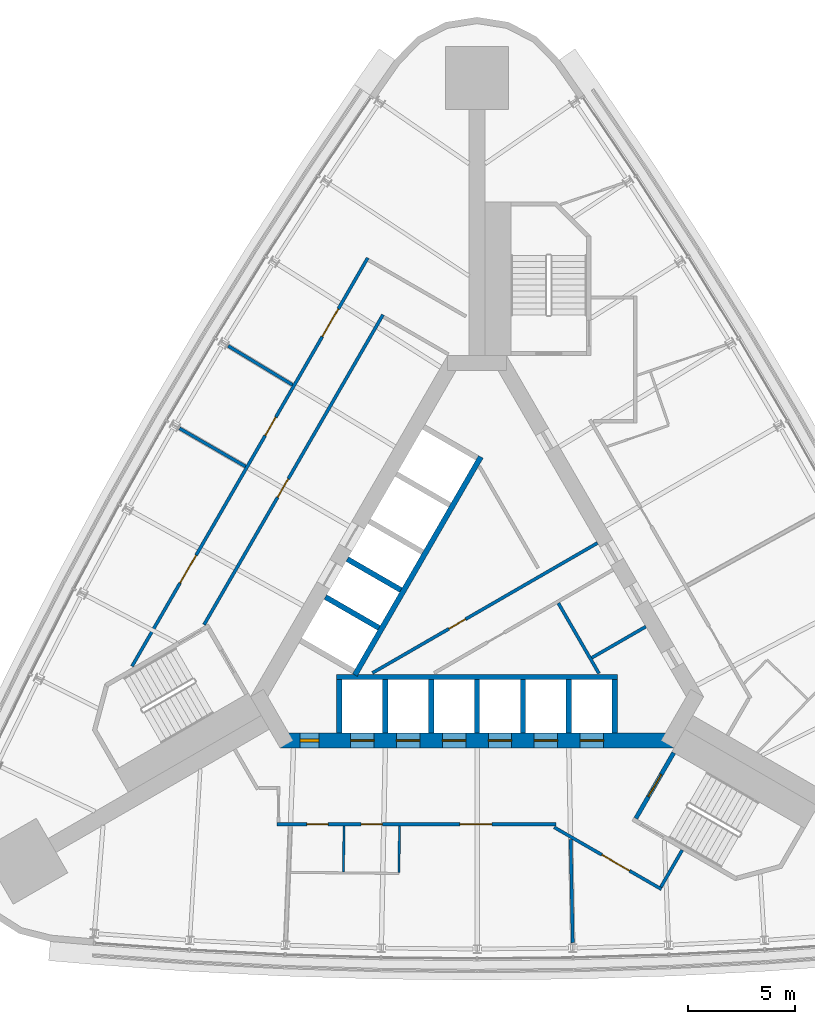
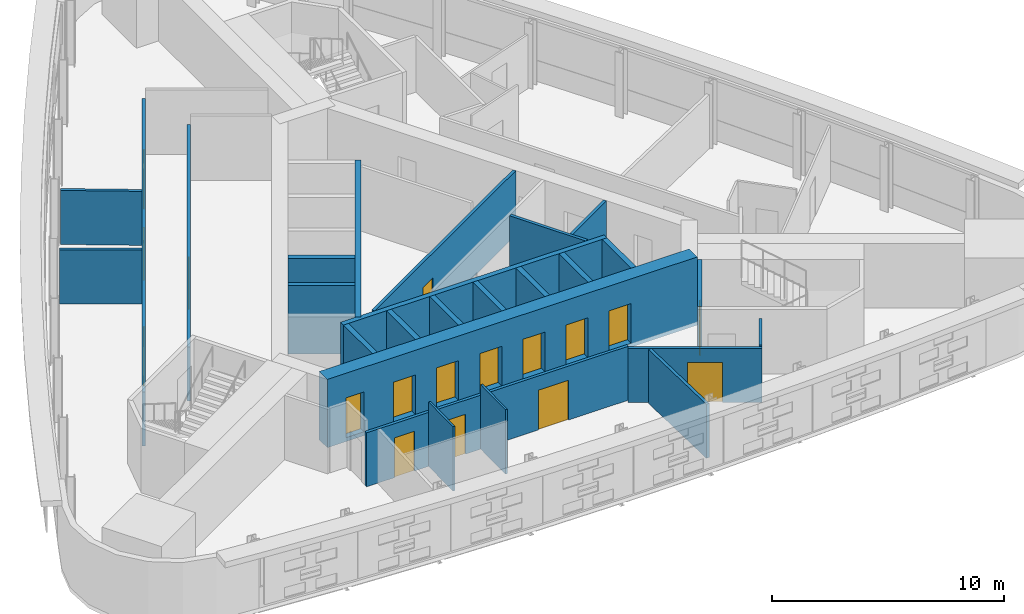
# One storey, part 7 of 11: 26 walls, 17 doors, 17 openings.
"""IFC4 building model written with IfcOpenShell, lengths in metres."""

from ifc_helpers import new_model, si_unit, direction, frame, frame_2d, origin, place, context, subcontext, project, spatial, rectangle, extrude, material, layer, layer_set, type_object, element, fill, save


model = new_model("IFC4")

# Units and contexts
model_context = context("Model", 3, precision=1e-05, world=origin(), true_north=direction((0.0, 1.0)))
body_context = subcontext(model_context, "Body", "Model", "MODEL_VIEW")
ifc_project = project(units=[si_unit("LENGTHUNIT", "METRE"), si_unit("AREAUNIT", "SQUARE_METRE"), si_unit("VOLUMEUNIT", "CUBIC_METRE"), si_unit("PLANEANGLEUNIT", "RADIAN"), si_unit("MASSUNIT", "GRAM", prefix="KILO")], contexts=[model_context])

# Site, building, storey
site_placement = place(None, origin())
site = spatial("IfcSite", under=ifc_project, at=site_placement, CompositionType="ELEMENT")
building_placement = place(site_placement, origin())
building = spatial("IfcBuilding", under=site, at=building_placement, Name="Noor Cloister Tower", CompositionType="ELEMENT")
storey_placement = place(building_placement, frame((0.0, 0.0, 120.300048828125)))
storey = spatial("IfcBuildingStorey", under=building, at=storey_placement, Name="L31", CompositionType="ELEMENT", Elevation=120.300048828125)

# Wall, opening, door
ifc_material_1 = material(Name="Concrete C30/37", Category="concrete")
ifc_layer_1 = layer(ifc_material_1, 0.14990234375)
ifc_layer_set_1 = layer_set([ifc_layer_1], Name="Core partition 150 C30/37")
wall_type_1 = type_object("IfcWallType", Name="Core partition 150 C30/37", PredefinedType="PARTITIONING", material=ifc_layer_set_1)
wall_1_placement = place(storey_placement, frame((-4.904296875, -3.4130859375, 0.0), z_axis=(0.0, 0.0, 1.0), x_axis=(0.866020716117, 0.500008119189, 0.0)))
wall_1 = element("IfcWall", 1, at=wall_1_placement, inside=storey, type_object=wall_type_1, Name="Core room partition L31 1", PredefinedType="PARTITIONING", context=body_context, shape_type="SweptSolid", body=[
    extrude(rectangle(XDim=12.181884765625, YDim=0.14990234375, at=frame_2d((6.0908203125, 0.0))), origin(), (0.0, 0.0, 1.0), 3.39990234375),
])
opening_1_placement = place(wall_1_placement, frame((4.14208984375, 0.0, 0.0)))
opening_1 = element("IfcOpeningElement", 2, at=opening_1_placement, cuts=wall_1, Name="Opening L31-906", PredefinedType="OPENING", context=body_context, shape_type="SweptSolid", body=[
    extrude(rectangle(XDim=0.89990234375, YDim=2.10009765625, at=frame_2d((0.449951171875, 1.050048828125))), frame((0.0, 0.0849609375, 0.0), z_axis=(0.0, -1.0, 0.0), x_axis=(1.0, 0.0, 0.0)), (0.0, 0.0, 1.0), 0.169921875),
])
ifc_material_2 = material(Name="Steel", Category="steel")
door_type_1 = type_object("IfcDoorType", Name="Core door 900 x 2100 FD120", OperationType="SINGLE_SWING_LEFT", PredefinedType="DOOR", material=ifc_material_2)
door_1_placement = place(opening_1_placement, origin())
door_1 = element("IfcDoor", 3, at=door_1_placement, inside=storey, type_object=door_type_1, Name="Core door 6 L31", OperationType="SINGLE_SWING_RIGHT", OverallHeight=2.10009765625, OverallWidth=0.89990234375, PredefinedType="DOOR", context=body_context, shape_type="SweptSolid", body=[
    extrude(rectangle(XDim=0.89990234375, YDim=2.10009765625, at=frame_2d((0.449951171875, 1.050048828125))), frame((0.0, 0.02490234375, 0.0), z_axis=(0.0, -1.0, 0.0), x_axis=(1.0, 0.0, 0.0)), (0.0, 0.0, 1.0), 0.050048828125),
])
fill(opening_1, door_1)

# Walls
wall_2_placement = place(storey_placement, frame((5.713134765625, -3.439208984375, 0.0), z_axis=(0.0, 0.0, 1.0), x_axis=(-0.499981559197, 0.866036050325, 0.0)))
element("IfcWall", 4, at=wall_2_placement, inside=storey, type_object=wall_type_1, Name="Core room partition L31 4", PredefinedType="PARTITIONING", context=body_context, shape_type="SweptSolid", body=[
    extrude(rectangle(XDim=3.806396484375, YDim=0.14990234375, at=frame_2d((1.9033203125, 0.0))), origin(), (0.0, 0.0, 1.0), 3.39990234375),
])
wall_3_placement = place(storey_placement, frame((5.375, -2.703369140625, 0.0), z_axis=(0.0, 0.0, 1.0), x_axis=(0.866046596414, 0.499963291492, 0.0)))
element("IfcWall", 5, at=wall_3_placement, inside=storey, type_object=wall_type_1, Name="Core room partition L31 5", PredefinedType="PARTITIONING", context=body_context, shape_type="SweptSolid", body=[
    extrude(rectangle(XDim=2.925048828125, YDim=0.14990234375, at=frame_2d((1.46240234375, 0.0))), origin(), (0.0, 0.0, 1.0), 3.39990234375),
])

# Wall, openings, doors
ifc_material_3 = material(Name="Concrete C80/95", Category="concrete")
ifc_layer_2 = layer(ifc_material_3, 0.699951171875)
ifc_layer_set_2 = layer_set([ifc_layer_2], Name="Core wall 700 C80/95")
wall_type_2 = type_object("IfcWallType", Name="Core wall 700 C80/95", PredefinedType="SHEAR", material=ifc_layer_set_2)
wall_4_placement = place(storey_placement, frame((-9.228759765625, -6.578125, -0.199951171875), z_axis=(0.0, 0.0, 1.0), x_axis=(1.0, 0.0, 0.0)))
wall_4 = element("IfcWall", 6, at=wall_4_placement, inside=storey, type_object=wall_type_2, Name="Core wall L31 1", PredefinedType="SHEAR", context=body_context, shape_type="SweptSolid", body=[
    extrude(rectangle(XDim=18.45751953125, YDim=0.699951171875, at=frame_2d((9.228759765625, 0.0))), origin(), (0.0, 0.0, 1.0), 3.599853515625),
])
opening_2_placement = place(wall_4_placement, frame((3.3037109375, 0.0, 0.199951171875)))
opening_2 = element("IfcOpeningElement", 7, at=opening_2_placement, cuts=wall_4, Name="Opening L31-LR1", PredefinedType="OPENING", context=body_context, shape_type="SweptSolid", body=[
    extrude(rectangle(XDim=1.10009765625, YDim=2.10009765625, at=frame_2d((0.550048828125, 1.050048828125))), frame((0.0, 0.35986328125, 0.0), z_axis=(0.0, -1.0, 0.0), x_axis=(1.0, 0.0, 0.0)), (0.0, 0.0, 1.0), 0.719970703125),
])
opening_3_placement = place(wall_4_placement, frame((5.45361328125, 0.0, 0.199951171875)))
opening_3 = element("IfcOpeningElement", 8, at=opening_3_placement, cuts=wall_4, Name="Opening L31-LR2", PredefinedType="OPENING", context=body_context, shape_type="SweptSolid", body=[
    extrude(rectangle(XDim=1.10009765625, YDim=2.10009765625, at=frame_2d((0.550048828125, 1.050048828125))), frame((0.0, 0.35986328125, 0.0), z_axis=(0.0, -1.0, 0.0), x_axis=(1.0, 0.0, 0.0)), (0.0, 0.0, 1.0), 0.719970703125),
])
opening_4_placement = place(wall_4_placement, frame((7.603759765625, 0.0, 0.199951171875)))
opening_4 = element("IfcOpeningElement", 9, at=opening_4_placement, cuts=wall_4, Name="Opening L31-LR3", PredefinedType="OPENING", context=body_context, shape_type="SweptSolid", body=[
    extrude(rectangle(XDim=1.10009765625, YDim=2.10009765625, at=frame_2d((0.550048828125, 1.050048828125))), frame((0.0, 0.35986328125, 0.0), z_axis=(0.0, -1.0, 0.0), x_axis=(1.0, 0.0, 0.0)), (0.0, 0.0, 1.0), 0.719970703125),
])
opening_5_placement = place(wall_4_placement, frame((9.753662109375, 0.0, 0.199951171875)))
opening_5 = element("IfcOpeningElement", 10, at=opening_5_placement, cuts=wall_4, Name="Opening L31-LR4", PredefinedType="OPENING", context=body_context, shape_type="SweptSolid", body=[
    extrude(rectangle(XDim=1.10009765625, YDim=2.10009765625, at=frame_2d((0.550048828125, 1.050048828125))), frame((0.0, 0.35986328125, 0.0), z_axis=(0.0, -1.0, 0.0), x_axis=(1.0, 0.0, 0.0)), (0.0, 0.0, 1.0), 0.719970703125),
])
opening_6_placement = place(wall_4_placement, frame((11.90380859375, 0.0, 0.199951171875)))
opening_6 = element("IfcOpeningElement", 11, at=opening_6_placement, cuts=wall_4, Name="Opening L31-LR5", PredefinedType="OPENING", context=body_context, shape_type="SweptSolid", body=[
    extrude(rectangle(XDim=1.10009765625, YDim=2.10009765625, at=frame_2d((0.550048828125, 1.050048828125))), frame((0.0, 0.35986328125, 0.0), z_axis=(0.0, -1.0, 0.0), x_axis=(1.0, 0.0, 0.0)), (0.0, 0.0, 1.0), 0.719970703125),
])
opening_7_placement = place(wall_4_placement, frame((14.0537109375, 0.0, 0.199951171875)))
opening_7 = element("IfcOpeningElement", 12, at=opening_7_placement, cuts=wall_4, Name="Opening L31-LR6", PredefinedType="OPENING", context=body_context, shape_type="SweptSolid", body=[
    extrude(rectangle(XDim=1.10009765625, YDim=2.10009765625, at=frame_2d((0.550048828125, 1.050048828125))), frame((0.0, 0.35986328125, 0.0), z_axis=(0.0, -1.0, 0.0), x_axis=(1.0, 0.0, 0.0)), (0.0, 0.0, 1.0), 0.719970703125),
])
opening_8_placement = place(wall_4_placement, frame((0.92626953125, 0.0, 0.199951171875)))
opening_8 = element("IfcOpeningElement", 13, at=opening_8_placement, cuts=wall_4, Name="Opening L31-907", PredefinedType="OPENING", context=body_context, shape_type="SweptSolid", body=[
    extrude(rectangle(XDim=0.89990234375, YDim=2.10009765625, at=frame_2d((0.449951171875, 1.050048828125))), frame((0.0, 0.35986328125, 0.0), z_axis=(0.0, -1.0, 0.0), x_axis=(1.0, 0.0, 0.0)), (0.0, 0.0, 1.0), 0.719970703125),
])
ifc_material_4 = material(Name="Steel", Category="steel")
door_type_2 = type_object("IfcDoorType", Name="Core door 900 x 2100 FD60", OperationType="SINGLE_SWING_LEFT", PredefinedType="DOOR", material=ifc_material_4)
door_2_placement = place(opening_8_placement, origin())
door_2 = element("IfcDoor", 14, at=door_2_placement, inside=storey, type_object=door_type_2, Name="Core door 7 L31", OperationType="SINGLE_SWING_LEFT", OverallHeight=2.10009765625, OverallWidth=0.89990234375, PredefinedType="DOOR", context=body_context, shape_type="SweptSolid", body=[
    extrude(rectangle(XDim=0.89990234375, YDim=2.10009765625, at=frame_2d((0.449951171875, 1.050048828125))), frame((0.0, 0.074951171875, 0.0), z_axis=(0.0, -1.0, 0.0), x_axis=(1.0, 0.0, 0.0)), (0.0, 0.0, 1.0), 0.14990234375),
])
fill(opening_8, door_2)
ifc_material_5 = material(Name="Stainless steel", Category="steel")
door_type_3 = type_object("IfcDoorType", Name="Lift landing door 1100 x 2100", OperationType="DOUBLE_DOOR_SLIDING", PredefinedType="DOOR", material=ifc_material_5)
door_3_placement = place(opening_2_placement, origin())
door_3 = element("IfcDoor", 15, at=door_3_placement, inside=storey, type_object=door_type_3, Name="Landing door LR1 L31", OperationType="DOUBLE_DOOR_SLIDING", OverallHeight=2.10009765625, OverallWidth=1.10009765625, PredefinedType="DOOR", context=body_context, shape_type="SweptSolid", body=[
    extrude(rectangle(XDim=1.10009765625, YDim=2.10009765625, at=frame_2d((0.550048828125, 1.050048828125))), frame((0.0, 0.02490234375, 0.0), z_axis=(0.0, -1.0, 0.0), x_axis=(1.0, 0.0, 0.0)), (0.0, 0.0, 1.0), 0.050048828125),
])
fill(opening_2, door_3)
door_4_placement = place(opening_3_placement, origin())
door_4 = element("IfcDoor", 16, at=door_4_placement, inside=storey, type_object=door_type_3, Name="Landing door LR2 L31", OperationType="DOUBLE_DOOR_SLIDING", OverallHeight=2.10009765625, OverallWidth=1.10009765625, PredefinedType="DOOR", context=body_context, shape_type="SweptSolid", body=[
    extrude(rectangle(XDim=1.10009765625, YDim=2.10009765625, at=frame_2d((0.550048828125, 1.050048828125))), frame((0.0, 0.02490234375, 0.0), z_axis=(0.0, -1.0, 0.0), x_axis=(1.0, 0.0, 0.0)), (0.0, 0.0, 1.0), 0.050048828125),
])
fill(opening_3, door_4)
door_5_placement = place(opening_4_placement, origin())
door_5 = element("IfcDoor", 17, at=door_5_placement, inside=storey, type_object=door_type_3, Name="Landing door LR3 L31", OperationType="DOUBLE_DOOR_SLIDING", OverallHeight=2.10009765625, OverallWidth=1.10009765625, PredefinedType="DOOR", context=body_context, shape_type="SweptSolid", body=[
    extrude(rectangle(XDim=1.10009765625, YDim=2.10009765625, at=frame_2d((0.550048828125, 1.050048828125))), frame((0.0, 0.02490234375, 0.0), z_axis=(0.0, -1.0, 0.0), x_axis=(1.0, 0.0, 0.0)), (0.0, 0.0, 1.0), 0.050048828125),
])
fill(opening_4, door_5)
door_6_placement = place(opening_5_placement, origin())
door_6 = element("IfcDoor", 18, at=door_6_placement, inside=storey, type_object=door_type_3, Name="Landing door LR4 L31", OperationType="DOUBLE_DOOR_SLIDING", OverallHeight=2.10009765625, OverallWidth=1.10009765625, PredefinedType="DOOR", context=body_context, shape_type="SweptSolid", body=[
    extrude(rectangle(XDim=1.10009765625, YDim=2.10009765625, at=frame_2d((0.550048828125, 1.050048828125))), frame((0.0, 0.02490234375, 0.0), z_axis=(0.0, -1.0, 0.0), x_axis=(1.0, 0.0, 0.0)), (0.0, 0.0, 1.0), 0.050048828125),
])
fill(opening_5, door_6)
door_7_placement = place(opening_6_placement, origin())
door_7 = element("IfcDoor", 19, at=door_7_placement, inside=storey, type_object=door_type_3, Name="Landing door LR5 L31", OperationType="DOUBLE_DOOR_SLIDING", OverallHeight=2.10009765625, OverallWidth=1.10009765625, PredefinedType="DOOR", context=body_context, shape_type="SweptSolid", body=[
    extrude(rectangle(XDim=1.10009765625, YDim=2.10009765625, at=frame_2d((0.550048828125, 1.050048828125))), frame((0.0, 0.02490234375, 0.0), z_axis=(0.0, -1.0, 0.0), x_axis=(1.0, 0.0, 0.0)), (0.0, 0.0, 1.0), 0.050048828125),
])
fill(opening_6, door_7)
door_8_placement = place(opening_7_placement, origin())
door_8 = element("IfcDoor", 20, at=door_8_placement, inside=storey, type_object=door_type_3, Name="Landing door LR6 L31", OperationType="DOUBLE_DOOR_SLIDING", OverallHeight=2.10009765625, OverallWidth=1.10009765625, PredefinedType="DOOR", context=body_context, shape_type="SweptSolid", body=[
    extrude(rectangle(XDim=1.10009765625, YDim=2.10009765625, at=frame_2d((0.550048828125, 1.050048828125))), frame((0.0, 0.02490234375, 0.0), z_axis=(0.0, -1.0, 0.0), x_axis=(1.0, 0.0, 0.0)), (0.0, 0.0, 1.0), 0.050048828125),
])
fill(opening_7, door_8)

# Wall, opening, door
ifc_material_6 = material(Name="Fire-rated gypsum board partition on steel studs, 150 mm", Category="steel")
ifc_layer_3 = layer(ifc_material_6, 0.14990234375)
ifc_layer_set_3 = layer_set([ifc_layer_3], Name="Fire lobby wall 150")
wall_type_3 = type_object("IfcWallType", Name="Fire lobby wall 150", PredefinedType="PARTITIONING", material=ifc_layer_set_3)
wall_5_placement = place(storey_placement, frame((-4.40673828125, 13.373779296875, 0.0), z_axis=(0.0, 0.0, 1.0), x_axis=(-0.499997181693, -0.866027030928, 0.0)))
wall_5 = element("IfcWall", 21, at=wall_5_placement, inside=storey, type_object=wall_type_3, Name="Fire lobby wall 150 L31 002", PredefinedType="PARTITIONING", context=body_context, shape_type="SweptSolid", body=[
    extrude(rectangle(XDim=16.76953125, YDim=0.14990234375, at=frame_2d((8.384765625, 0.0))), origin(), (0.0, 0.0, 1.0), 2.846923828125),
])
opening_9_placement = place(wall_5_placement, frame((8.878662109375, 0.0, 0.0)))
opening_9 = element("IfcOpeningElement", 22, at=opening_9_placement, cuts=wall_5, Name="Opening L31-004", PredefinedType="OPENING", context=body_context, shape_type="SweptSolid", body=[
    extrude(rectangle(XDim=1.0, YDim=2.10009765625, at=frame_2d((0.5, 1.050048828125))), frame((0.0, 0.0849609375, 0.0), z_axis=(0.0, -1.0, 0.0), x_axis=(1.0, 0.0, 0.0)), (0.0, 0.0, 1.0), 0.169921875),
])
ifc_material_7 = material(Name="Timber door leaf with steel frame", Category="steel")
door_type_4 = type_object("IfcDoorType", Name="Fire lobby door 1000", OperationType="NOTDEFINED", PredefinedType="DOOR", material=ifc_material_7)
door_9_placement = place(opening_9_placement, origin())
door_9 = element("IfcDoor", 23, at=door_9_placement, inside=storey, type_object=door_type_4, Name="Fire lobby door 1000 L31-004", OperationType="SINGLE_SWING_RIGHT", OverallHeight=2.10009765625, OverallWidth=1.0, PredefinedType="DOOR", context=body_context, shape_type="SweptSolid", body=[
    extrude(rectangle(XDim=1.0, YDim=2.10009765625, at=frame_2d((0.5, 1.050048828125))), frame((0.0, 0.02490234375, 0.0), z_axis=(0.0, -1.0, 0.0), x_axis=(1.0, 0.0, 0.0)), (0.0, 0.0, 1.0), 0.050048828125),
])
fill(opening_9, door_9)

# Wall, openings, doors
ifc_material_8 = material(Name="Gypsum board partition on steel studs, 150 mm", Category="steel")
ifc_layer_4 = layer(ifc_material_8, 0.14990234375)
ifc_layer_set_4 = layer_set([ifc_layer_4], Name="Flat wall 150")
wall_type_4 = type_object("IfcWallType", Name="Flat wall 150", PredefinedType="PARTITIONING", material=ifc_layer_set_4)
wall_6_placement = place(storey_placement, frame((-16.1689453125, -3.09912109375, 0.0), z_axis=(0.0, 0.0, 1.0), x_axis=(0.499999805269, 0.866025516212, 0.0)))
wall_6 = element("IfcWall", 24, at=wall_6_placement, inside=storey, type_object=wall_type_4, Name="Flat wall 150 L31 001", PredefinedType="PARTITIONING", context=body_context, shape_type="SweptSolid", body=[
    extrude(rectangle(XDim=22.09716796875, YDim=0.14990234375, at=frame_2d((11.048583984375, 0.0))), origin(), (0.0, 0.0, 1.0), 2.846923828125),
])
opening_10_placement = place(wall_6_placement, frame((17.841796875, 0.0, 0.0)))
opening_10 = element("IfcOpeningElement", 25, at=opening_10_placement, cuts=wall_6, Name="Opening L31-001", PredefinedType="OPENING", context=body_context, shape_type="SweptSolid", body=[
    extrude(rectangle(XDim=1.5, YDim=2.10009765625, at=frame_2d((0.75, 1.050048828125))), frame((0.0, 0.0849609375, 0.0), z_axis=(0.0, -1.0, 0.0), x_axis=(1.0, 0.0, 0.0)), (0.0, 0.0, 1.0), 0.169921875),
])
opening_11_placement = place(wall_6_placement, frame((12.474365234375, 0.0, 0.0)))
opening_11 = element("IfcOpeningElement", 26, at=opening_11_placement, cuts=wall_6, Name="Opening L31-002", PredefinedType="OPENING", context=body_context, shape_type="SweptSolid", body=[
    extrude(rectangle(XDim=1.0, YDim=2.10009765625, at=frame_2d((0.5, 1.050048828125))), frame((0.0, 0.0849609375, 0.0), z_axis=(0.0, -1.0, 0.0), x_axis=(1.0, 0.0, 0.0)), (0.0, 0.0, 1.0), 0.169921875),
])
opening_12_placement = place(wall_6_placement, frame((4.50341796875, 0.0, 0.0)))
opening_12 = element("IfcOpeningElement", 27, at=opening_12_placement, cuts=wall_6, Name="Opening L31-003", PredefinedType="OPENING", context=body_context, shape_type="SweptSolid", body=[
    extrude(rectangle(XDim=1.5, YDim=2.10009765625, at=frame_2d((0.75, 1.050048828125))), frame((0.0, 0.0849609375, 0.0), z_axis=(0.0, -1.0, 0.0), x_axis=(1.0, 0.0, 0.0)), (0.0, 0.0, 1.0), 0.169921875),
])
ifc_material_9 = material(Name="Timber door leaf with steel frame", Category="steel")
door_type_5 = type_object("IfcDoorType", Name="Double door 1500 FD60", OperationType="NOTDEFINED", PredefinedType="DOOR", material=ifc_material_9)
door_10_placement = place(opening_10_placement, origin())
door_10 = element("IfcDoor", 28, at=door_10_placement, inside=storey, type_object=door_type_5, Name="Double door 1500 L31-001", OperationType="DOUBLE_DOOR_SINGLE_SWING", OverallHeight=2.10009765625, OverallWidth=1.5, PredefinedType="DOOR", context=body_context, shape_type="SweptSolid", body=[
    extrude(rectangle(XDim=1.5, YDim=2.10009765625, at=frame_2d((0.75, 1.050048828125))), frame((0.0, 0.02490234375, 0.0), z_axis=(0.0, -1.0, 0.0), x_axis=(1.0, 0.0, 0.0)), (0.0, 0.0, 1.0), 0.050048828125),
])
fill(opening_10, door_10)
door_11_placement = place(opening_12_placement, origin())
door_11 = element("IfcDoor", 29, at=door_11_placement, inside=storey, type_object=door_type_5, Name="Double door 1500 L31-003", OperationType="DOUBLE_DOOR_SINGLE_SWING", OverallHeight=2.10009765625, OverallWidth=1.5, PredefinedType="DOOR", context=body_context, shape_type="SweptSolid", body=[
    extrude(rectangle(XDim=1.5, YDim=2.10009765625, at=frame_2d((0.75, 1.050048828125))), frame((0.0, 0.02490234375, 0.0), z_axis=(0.0, -1.0, 0.0), x_axis=(1.0, 0.0, 0.0)), (0.0, 0.0, 1.0), 0.050048828125),
])
fill(opening_12, door_11)
ifc_material_10 = material(Name="Timber door leaf with steel frame", Category="steel")
door_type_6 = type_object("IfcDoorType", Name="Interior door 1000 FD60", OperationType="NOTDEFINED", PredefinedType="DOOR", material=ifc_material_10)
door_12_placement = place(opening_11_placement, origin())
door_12 = element("IfcDoor", 30, at=door_12_placement, inside=storey, type_object=door_type_6, Name="Interior door 1000 L31-002", OperationType="SINGLE_SWING_RIGHT", OverallHeight=2.10009765625, OverallWidth=1.0, PredefinedType="DOOR", context=body_context, shape_type="SweptSolid", body=[
    extrude(rectangle(XDim=1.0, YDim=2.10009765625, at=frame_2d((0.5, 1.050048828125))), frame((0.0, 0.02490234375, 0.0), z_axis=(0.0, -1.0, 0.0), x_axis=(1.0, 0.0, 0.0)), (0.0, 0.0, 1.0), 0.050048828125),
])
fill(opening_11, door_12)

wall_7_placement = place(storey_placement, frame((3.68896484375, -10.503173828125, 0.0), z_axis=(0.0, 0.0, 1.0), x_axis=(-1.0, 0.0, 0.0)))
wall_7 = element("IfcWall", 31, at=wall_7_placement, inside=storey, type_object=wall_type_4, Name="Flat wall 150 L31 004", PredefinedType="PARTITIONING", context=body_context, shape_type="SweptSolid", body=[
    extrude(rectangle(XDim=13.067626953125, YDim=0.14990234375, at=frame_2d((6.53369140625, 0.0))), origin(), (0.0, 0.0, 1.0), 2.846923828125),
])
opening_13_placement = place(wall_7_placement, frame((10.66845703125, 0.0, 0.0)))
opening_13 = element("IfcOpeningElement", 32, at=opening_13_placement, cuts=wall_7, Name="Opening L31-007", PredefinedType="OPENING", context=body_context, shape_type="SweptSolid", body=[
    extrude(rectangle(XDim=1.0, YDim=2.10009765625, at=frame_2d((0.5, 1.050048828125))), frame((0.0, 0.0849609375, 0.0), z_axis=(0.0, -1.0, 0.0), x_axis=(1.0, 0.0, 0.0)), (0.0, 0.0, 1.0), 0.169921875),
])
opening_14_placement = place(wall_7_placement, frame((8.12451171875, 0.0, 0.0)))
opening_14 = element("IfcOpeningElement", 33, at=opening_14_placement, cuts=wall_7, Name="Opening L31-008", PredefinedType="OPENING", context=body_context, shape_type="SweptSolid", body=[
    extrude(rectangle(XDim=1.0, YDim=2.10009765625, at=frame_2d((0.5, 1.050048828125))), frame((0.0, 0.0849609375, 0.0), z_axis=(0.0, -1.0, 0.0), x_axis=(1.0, 0.0, 0.0)), (0.0, 0.0, 1.0), 0.169921875),
])
opening_15_placement = place(wall_7_placement, frame((2.98974609375, 0.0, 0.0)))
opening_15 = element("IfcOpeningElement", 34, at=opening_15_placement, cuts=wall_7, Name="Opening L31-009", PredefinedType="OPENING", context=body_context, shape_type="SweptSolid", body=[
    extrude(rectangle(XDim=1.5, YDim=2.10009765625, at=frame_2d((0.75, 1.050048828125))), frame((0.0, 0.0849609375, 0.0), z_axis=(0.0, -1.0, 0.0), x_axis=(1.0, 0.0, 0.0)), (0.0, 0.0, 1.0), 0.169921875),
])
ifc_material_11 = material(Name="Timber door leaf with steel frame", Category="steel")
door_type_7 = type_object("IfcDoorType", Name="Accessible WC door 1000", OperationType="NOTDEFINED", PredefinedType="DOOR", material=ifc_material_11)
door_13_placement = place(opening_13_placement, origin())
door_13 = element("IfcDoor", 35, at=door_13_placement, inside=storey, type_object=door_type_7, Name="Accessible WC door 1000 L31-007", OperationType="SINGLE_SWING_RIGHT", OverallHeight=2.10009765625, OverallWidth=1.0, PredefinedType="DOOR", context=body_context, shape_type="SweptSolid", body=[
    extrude(rectangle(XDim=1.0, YDim=2.10009765625, at=frame_2d((0.5, 1.050048828125))), frame((0.0, 0.02490234375, 0.0), z_axis=(0.0, -1.0, 0.0), x_axis=(1.0, 0.0, 0.0)), (0.0, 0.0, 1.0), 0.050048828125),
])
fill(opening_13, door_13)
door_14_placement = place(opening_15_placement, origin())
door_14 = element("IfcDoor", 36, at=door_14_placement, inside=storey, type_object=door_type_5, Name="Double door 1500 L31-009", OperationType="DOUBLE_DOOR_SINGLE_SWING", OverallHeight=2.10009765625, OverallWidth=1.5, PredefinedType="DOOR", context=body_context, shape_type="SweptSolid", body=[
    extrude(rectangle(XDim=1.5, YDim=2.10009765625, at=frame_2d((0.75, 1.050048828125))), frame((0.0, 0.02490234375, 0.0), z_axis=(0.0, -1.0, 0.0), x_axis=(1.0, 0.0, 0.0)), (0.0, 0.0, 1.0), 0.050048828125),
])
fill(opening_15, door_14)
door_15_placement = place(opening_14_placement, origin())
door_15 = element("IfcDoor", 37, at=door_15_placement, inside=storey, type_object=door_type_6, Name="Interior door 1000 L31-008", OperationType="SINGLE_SWING_RIGHT", OverallHeight=2.10009765625, OverallWidth=1.0, PredefinedType="DOOR", context=body_context, shape_type="SweptSolid", body=[
    extrude(rectangle(XDim=1.0, YDim=2.10009765625, at=frame_2d((0.5, 1.050048828125))), frame((0.0, 0.02490234375, 0.0), z_axis=(0.0, -1.0, 0.0), x_axis=(1.0, 0.0, 0.0)), (0.0, 0.0, 1.0), 0.050048828125),
])
fill(opening_14, door_15)

# Wall, opening, door
wall_8_placement = place(storey_placement, frame((8.64111328125, -13.5458984375, 0.0), z_axis=(0.0, 0.0, 1.0), x_axis=(-0.866042728627, 0.499969991291, 0.0)))
wall_8 = element("IfcWall", 38, at=wall_8_placement, inside=storey, type_object=wall_type_4, Name="Flat wall 150 L31 005", PredefinedType="PARTITIONING", context=body_context, shape_type="SweptSolid", body=[
    extrude(rectangle(XDim=5.805419921875, YDim=0.14990234375, at=frame_2d((2.90283203125, 0.0))), origin(), (0.0, 0.0, 1.0), 2.846923828125),
])
opening_16_placement = place(wall_8_placement, frame((1.726318359375, 0.0, 0.0)))
opening_16 = element("IfcOpeningElement", 39, at=opening_16_placement, cuts=wall_8, Name="Opening L31-010", PredefinedType="OPENING", context=body_context, shape_type="SweptSolid", body=[
    extrude(rectangle(XDim=1.5, YDim=2.10009765625, at=frame_2d((0.75, 1.050048828125))), frame((0.0, 0.0849609375, 0.0), z_axis=(0.0, -1.0, 0.0), x_axis=(1.0, 0.0, 0.0)), (0.0, 0.0, 1.0), 0.169921875),
])
door_16_placement = place(opening_16_placement, origin())
door_16 = element("IfcDoor", 40, at=door_16_placement, inside=storey, type_object=door_type_5, Name="Double door 1500 L31-010", OperationType="DOUBLE_DOOR_SINGLE_SWING", OverallHeight=2.10009765625, OverallWidth=1.5, PredefinedType="DOOR", context=body_context, shape_type="SweptSolid", body=[
    extrude(rectangle(XDim=1.5, YDim=2.10009765625, at=frame_2d((0.75, 1.050048828125))), frame((0.0, 0.02490234375, 0.0), z_axis=(0.0, -1.0, 0.0), x_axis=(1.0, 0.0, 0.0)), (0.0, 0.0, 1.0), 0.050048828125),
])
fill(opening_16, door_16)

# Walls
wall_9_placement = place(storey_placement, frame((8.613525390625, -13.443603515625, 0.0), z_axis=(0.0, 0.0, 1.0), x_axis=(0.499972520799, 0.866041268327, 0.0)))
element("IfcWall", 41, at=wall_9_placement, inside=storey, type_object=wall_type_4, Name="Flat wall 150 L31 012", PredefinedType="PARTITIONING", context=body_context, shape_type="SweptSolid", body=[
    extrude(rectangle(XDim=2.0, YDim=0.14990234375, at=frame_2d((1.0, 0.0))), origin(), (0.0, 0.0, 1.0), 2.9228515625),
])
wall_10_placement = place(storey_placement, frame((4.4833984375, -16.0537109375, 0.0), z_axis=(0.0, 0.0, 1.0), x_axis=(-0.020251440235, 0.999794918555, 0.0)))
element("IfcWall", 42, at=wall_10_placement, inside=storey, type_object=wall_type_4, Name="Flat wall 150 L31 018", PredefinedType="PARTITIONING", context=body_context, shape_type="SweptSolid", body=[
    extrude(rectangle(XDim=4.834228515625, YDim=0.14990234375, at=frame_2d((2.4169921875, 0.0))), origin(), (0.0, 0.0, 1.0), 2.846923828125),
])
wall_11_placement = place(storey_placement, frame((-13.942138671875, 8.049560546875, 0.0), z_axis=(0.0, 0.0, 1.0), x_axis=(0.866034162518, -0.499984829122, 0.0)))
element("IfcWall", 43, at=wall_11_placement, inside=storey, type_object=wall_type_4, Name="Flat wall 150 L31 019", PredefinedType="PARTITIONING", context=body_context, shape_type="SweptSolid", body=[
    extrude(rectangle(XDim=3.57080078125, YDim=0.14990234375, at=frame_2d((1.785400390625, 0.0))), origin(), (0.0, 0.0, 1.0), 2.846923828125),
])
wall_12_placement = place(storey_placement, frame((-11.6611328125, 11.90966796875, 0.0), z_axis=(0.0, 0.0, 1.0), x_axis=(0.855697033778, -0.517477136098, 0.0)))
element("IfcWall", 44, at=wall_12_placement, inside=storey, type_object=wall_type_4, Name="Flat wall 150 L31 020", PredefinedType="PARTITIONING", context=body_context, shape_type="SweptSolid", body=[
    extrude(rectangle(XDim=3.524658203125, YDim=0.14990234375, at=frame_2d((1.76220703125, 0.0))), origin(), (0.0, 0.0, 1.0), 2.846923828125),
])
ifc_material_12 = material(Name="Gypsum board partition on steel studs, 100 mm", Category="steel")
ifc_layer_5 = layer(ifc_material_12, 0.10009765625)
ifc_layer_set_5 = layer_set([ifc_layer_5], Name="Partition 100")
wall_type_5 = type_object("IfcWallType", Name="Partition 100", PredefinedType="PARTITIONING", material=ifc_layer_set_5)
wall_13_placement = place(storey_placement, frame((-3.65771484375, -12.755859375, 0.0), z_axis=(0.0, 0.0, 1.0), x_axis=(0.010203550433, 0.999947942424, 0.0)))
element("IfcWall", 45, at=wall_13_placement, inside=storey, type_object=wall_type_5, Name="Partition 100 L31 028", PredefinedType="PARTITIONING", context=body_context, shape_type="SweptSolid", body=[
    extrude(rectangle(XDim=2.17724609375, YDim=0.10009765625, at=frame_2d((1.088623046875, 0.0))), origin(), (0.0, 0.0, 1.0), 3.39990234375),
])
wall_14_placement = place(storey_placement, frame((-6.257568359375, -12.7294921875, 0.0), z_axis=(0.0, 0.0, 1.0), x_axis=(0.010101641199, 0.999948977121, 0.0)))
element("IfcWall", 46, at=wall_14_placement, inside=storey, type_object=wall_type_5, Name="Partition 100 L31 029", PredefinedType="PARTITIONING", context=body_context, shape_type="SweptSolid", body=[
    extrude(rectangle(XDim=2.15087890625, YDim=0.10009765625, at=frame_2d((1.075439453125, 0.0))), origin(), (0.0, 0.0, 1.0), 3.39990234375),
])
ifc_material_13 = material(Name="Concrete C80/95", Category="concrete")
ifc_layer_6 = layer(ifc_material_13, 0.25)
ifc_layer_set_6 = layer_set([ifc_layer_6], Name="Shaft wall 250 C80/95")
wall_type_6 = type_object("IfcWallType", Name="Shaft wall 250 C80/95", PredefinedType="PARTITIONING", material=ifc_layer_set_6)
for number, where, z_axis, x_axis, name in (
    (47, (-6.449951171875, -6.228271484375, -0.199951171875), (0.0, 0.0, 1.0), (0.0, 1.0, 0.0), "Lift shaft wall L31 S 1"),
    (48, (-4.300048828125, -6.228271484375, -0.199951171875), (0.0, 0.0, 1.0), (0.0, 1.0, 0.0), "Lift shaft wall L31 S 2"),
    (49, (-2.14990234375, -6.228271484375, -0.199951171875), (0.0, 0.0, 1.0), (0.0, 1.0, 0.0), "Lift shaft wall L31 S 3"),
    (50, (0.0, -6.228271484375, -0.199951171875), (0.0, 0.0, 1.0), (0.0, 1.0, 0.0), "Lift shaft wall L31 S 4"),
    (51, (2.14990234375, -6.228271484375, -0.199951171875), (0.0, 0.0, 1.0), (0.0, 1.0, 0.0), "Lift shaft wall L31 S 5"),
    (52, (4.300048828125, -6.228271484375, -0.199951171875), (0.0, 0.0, 1.0), (0.0, 1.0, 0.0), "Lift shaft wall L31 S 6"),
    (53, (6.449951171875, -6.228271484375, -0.199951171875), (0.0, 0.0, 1.0), (0.0, 1.0, 0.0), "Lift shaft wall L31 S 7"),
):
    element("IfcWall", number, at=place(storey_placement, frame(where, z_axis=z_axis, x_axis=x_axis)), inside=storey, type_object=wall_type_6, Name=name, PredefinedType="PARTITIONING", context=body_context, shape_type="SweptSolid", body=[
        extrude(rectangle(XDim=2.5, YDim=0.25, at=frame_2d((1.25, 0.0))), origin(), (0.0, 0.0, 1.0), 3.599853515625),
    ])
wall_15_placement = place(storey_placement, frame((-6.574951171875, -3.603271484375, 0.0), z_axis=(0.0, 0.0, 1.0), x_axis=(1.0, 0.0, 0.0)))
element("IfcWall", 54, at=wall_15_placement, inside=storey, type_object=wall_type_6, Name="Lift shaft back wall L31 S", PredefinedType="PARTITIONING", context=body_context, shape_type="SweptSolid", body=[
    extrude(rectangle(XDim=13.14990234375, YDim=0.25, at=frame_2d((6.574951171875, 0.0))), origin(), (0.0, 0.0, 1.0), 3.39990234375),
])
for number, where, z_axis, x_axis, name in (
    (55, (-6.081298828125, 1.92333984375, -0.199951171875), (0.0, 0.0, 1.0), (0.866032775405, -0.499987231761, 0.0), "Lift shaft wall L31 NW 4"),
    (56, (-7.106201171875, 0.14794921875, -0.199951171875), (0.0, 0.0, 1.0), (0.866032775405, -0.499987231761, 0.0), "Lift shaft wall L31 NW 5"),
):
    element("IfcWall", number, at=place(storey_placement, frame(where, z_axis=z_axis, x_axis=x_axis)), inside=storey, type_object=wall_type_6, Name=name, PredefinedType="PARTITIONING", context=body_context, shape_type="SweptSolid", body=[
        extrude(rectangle(XDim=2.89990234375, YDim=0.25, at=frame_2d((1.449951171875, 0.0))), origin(), (0.0, 0.0, 1.0), 3.599853515625),
    ])
wall_16_placement = place(storey_placement, frame((0.176025390625, 6.711181640625, 0.0), z_axis=(0.0, 0.0, 1.0), x_axis=(-0.500004227369, -0.866022963098, 0.0)))
element("IfcWall", 57, at=wall_16_placement, inside=storey, type_object=wall_type_6, Name="Lift shaft back wall L31 NW", PredefinedType="PARTITIONING", context=body_context, shape_type="SweptSolid", body=[
    extrude(rectangle(XDim=11.80029296875, YDim=0.25, at=frame_2d((5.900146484375, 0.0))), origin(), (0.0, 0.0, 1.0), 3.39990234375),
])

# Wall, opening, door
ifc_material_14 = material(Name="Concrete C80/95", Category="concrete")
ifc_layer_7 = layer(ifc_material_14, 0.199951171875)
ifc_layer_set_7 = layer_set([ifc_layer_7], Name="Stair enclosure wall 200 C80/95")
wall_type_7 = type_object("IfcWallType", Name="Stair enclosure wall 200 C80/95", PredefinedType="SHEAR", material=ifc_layer_set_7)
wall_17_placement = place(storey_placement, frame((7.440185546875, -10.225830078125, -0.199951171875), z_axis=(0.0, 0.0, 1.0), x_axis=(0.500022077904, 0.866012656725, 0.0)))
wall_17 = element("IfcWall", 58, at=wall_17_placement, inside=storey, type_object=wall_type_7, Name="Stair enclosure wall ST3 L31 near end", PredefinedType="SHEAR", context=body_context, shape_type="SweptSolid", body=[
    extrude(rectangle(XDim=3.550048828125, YDim=0.199951171875, at=frame_2d((1.77490234375, 0.0))), origin(), (0.0, 0.0, 1.0), 3.599853515625),
])
opening_17_placement = place(wall_17_placement, frame((1.175048828125, 0.0, 0.199951171875)))
opening_17 = element("IfcOpeningElement", 59, at=opening_17_placement, cuts=wall_17, Name="Opening L31-ST3L", PredefinedType="OPENING", context=body_context, shape_type="SweptSolid", body=[
    extrude(rectangle(XDim=1.199951171875, YDim=2.10009765625, at=frame_2d((0.60009765625, 1.050048828125))), frame((0.0, 0.10986328125, 0.0), z_axis=(0.0, -1.0, 0.0), x_axis=(1.0, 0.0, 0.0)), (0.0, 0.0, 1.0), 0.219970703125),
])
ifc_material_15 = material(Name="Steel", Category="steel")
door_type_8 = type_object("IfcDoorType", Name="Stair door 1200 x 2100 FD120", OperationType="SINGLE_SWING_LEFT", PredefinedType="DOOR", material=ifc_material_15)
door_17_placement = place(opening_17_placement, origin())
door_17 = element("IfcDoor", 60, at=door_17_placement, inside=storey, type_object=door_type_8, Name="Stair door ST3 L31", OperationType="SINGLE_SWING_RIGHT", OverallHeight=2.10009765625, OverallWidth=1.199951171875, PredefinedType="DOOR", context=body_context, shape_type="SweptSolid", body=[
    extrude(rectangle(XDim=1.199951171875, YDim=2.10009765625, at=frame_2d((0.60009765625, 1.050048828125))), frame((0.0, 0.02490234375, 0.0), z_axis=(0.0, -1.0, 0.0), x_axis=(1.0, 0.0, 0.0)), (0.0, 0.0, 1.0), 0.050048828125),
])
fill(opening_17, door_17)

save(model, "model.ifc")
